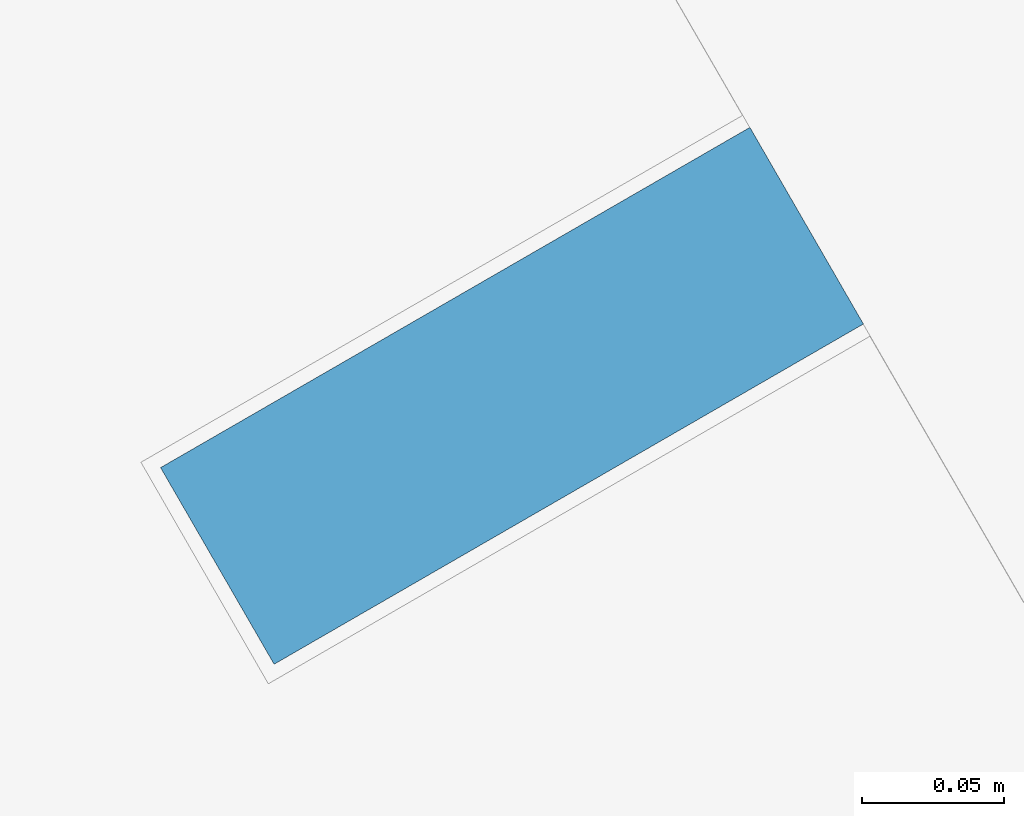
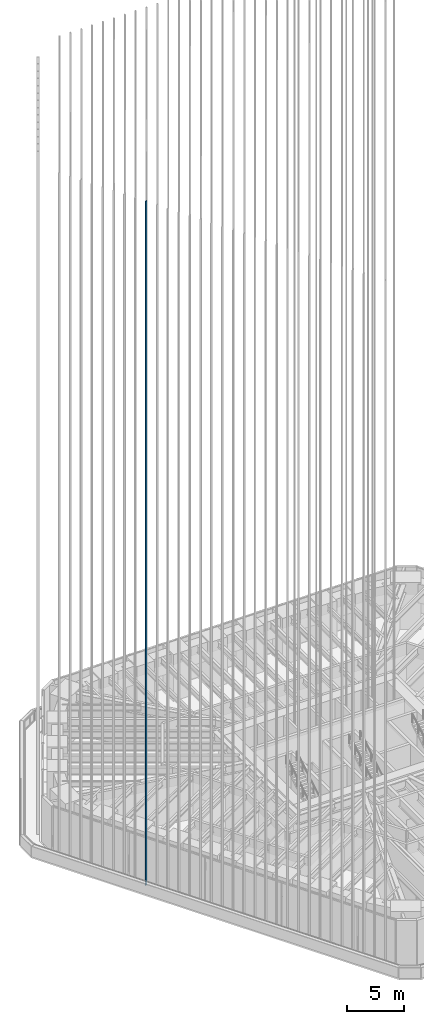
# One storey, part 57 of 228: 1 member, 1 element without a shape of its own.
"""IFC4 building model written with IfcOpenShell, lengths in metres."""

from ifc_helpers import new_model, si_unit, direction, frame, origin, origin_2d, place, context, subcontext, project, spatial, rectangle, extrude, material, material_profile, profile_set, type_object, element, aggregate, save


model = new_model("IFC4")

# Units and contexts
model_context = context("Model", 3, precision=1e-05, world=origin(), true_north=direction((0.0, 1.0)))
body_context = subcontext(model_context, "Body", "Model", "MODEL_VIEW")
ifc_project = project(units=[si_unit("LENGTHUNIT", "METRE"), si_unit("AREAUNIT", "SQUARE_METRE"), si_unit("VOLUMEUNIT", "CUBIC_METRE"), si_unit("PLANEANGLEUNIT", "RADIAN"), si_unit("MASSUNIT", "GRAM", prefix="KILO")], contexts=[model_context])

# Site, building, storey
site_placement = place(None, origin())
site = spatial("IfcSite", under=ifc_project, at=site_placement, CompositionType="ELEMENT")
building_placement = place(site_placement, origin())
building = spatial("IfcBuilding", under=site, at=building_placement, Name="Sandreach Pilgrim Tower", CompositionType="ELEMENT")
storey_placement = place(building_placement, frame((0.0, 0.0, 178.199951171875)))
storey = spatial("IfcBuildingStorey", under=building, at=storey_placement, Name="L44", CompositionType="ELEMENT", Elevation=178.199951171875)

# Curtain wall, member
ifc_material_1 = material(Name="Aluminium framed curtain wall", Category="aluminium")
curtain_wall_type = type_object("IfcCurtainWallType", Name="Upper hotel tower curtain wall", PredefinedType="NOTDEFINED", material=ifc_material_1)
curtain_wall_placement = place(storey_placement, origin())
curtain_wall = element("IfcCurtainWall", 1, at=curtain_wall_placement, inside=storey, type_object=curtain_wall_type, Name="CW-3 L44 SW", PredefinedType="NOTDEFINED")
ifc_material_2 = material(Name="Extruded terracotta on aluminium core", Category="masonry")
ifc_material_profile = material_profile(ifc_material_2, rectangle(XDim=0.080078125, YDim=0.239990234375, at=origin_2d()), Name="TBW 80X240")
ifc_profile_set = profile_set([ifc_material_profile], Name="Extruded terracotta on aluminium core")
member_type = type_object("IfcMemberType", Name="Terracotta baguette west", PredefinedType="USERDEFINED", material=ifc_profile_set)
member_placement = place(storey_placement, frame((-22.5458984375, -4.109375, 0.0), z_axis=(0.0, 0.0, 1.0), x_axis=(-0.5, 0.866025403784, 0.0)))
member = element("IfcMember", 2, at=member_placement, type_object=member_type, Name="Baguette Z3 SW23", ObjectType="BAGUETTE", PredefinedType="USERDEFINED", context=body_context, shape_type="SweptSolid", body=[
    extrude(rectangle(XDim=0.080078125, YDim=0.239990234375, at=origin_2d()), origin(), (0.0, 0.0, 1.0), 73.239990234375),
])
aggregate(curtain_wall, [member])

save(model, "model.ifc")
